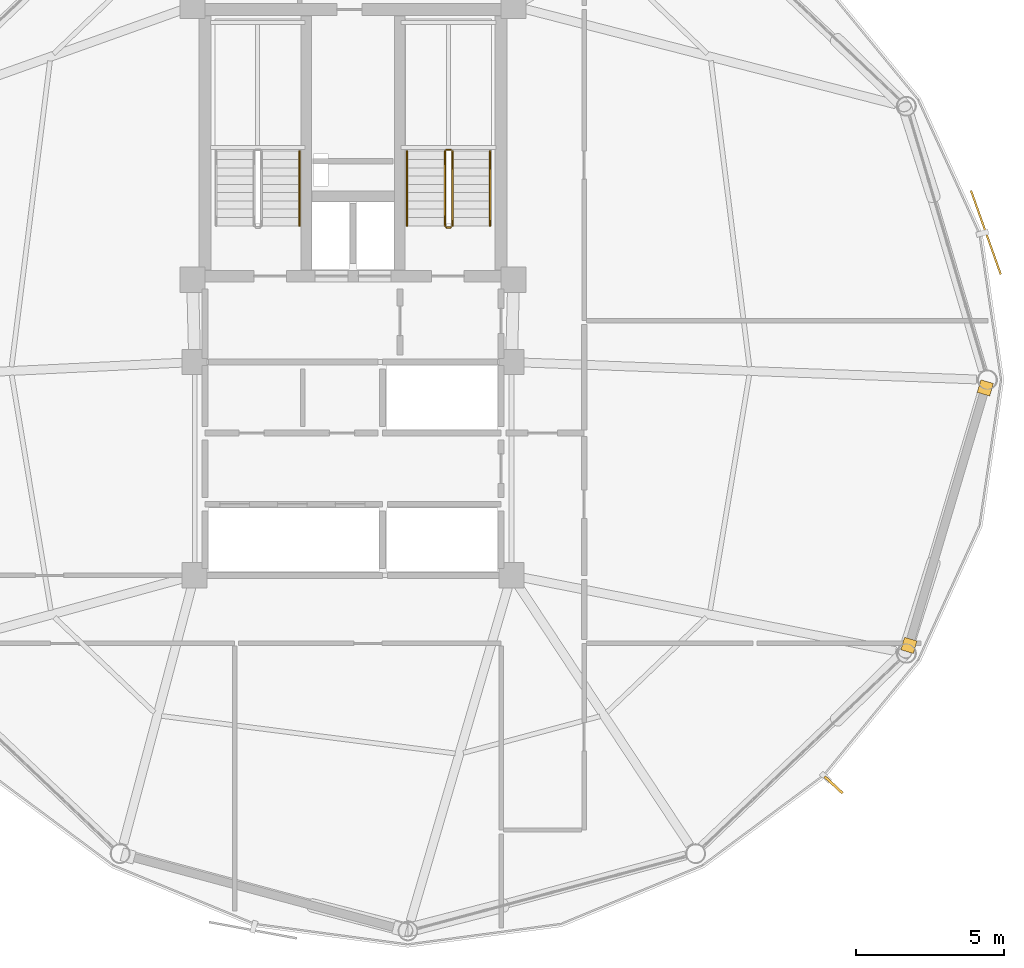
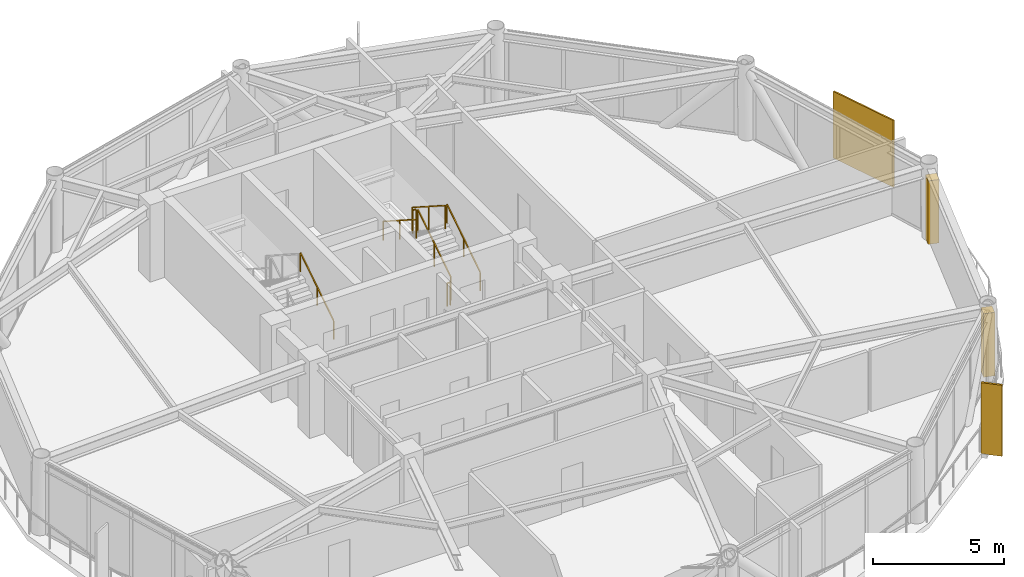
# One storey, part 28 of 29: 7 railings, 2 coverings, 2 shading devices.
"""IFC4 building model written with IfcOpenShell, lengths in metres."""

from ifc_helpers import new_model, si_unit, direction, frame, origin, origin_2d, place, context, subcontext, project, spatial, rectangle, extrude, source, transform, mapped, material, layer, layer_set, type_object, type_shapes, element, save


model = new_model("IFC4")

# Units and contexts
model_context = context("Model", 3, precision=1e-05, world=origin(), true_north=direction((0.0, 1.0)))
body_context = subcontext(model_context, "Body", "Model", "MODEL_VIEW")
ifc_project = project(units=[si_unit("LENGTHUNIT", "METRE"), si_unit("AREAUNIT", "SQUARE_METRE"), si_unit("VOLUMEUNIT", "CUBIC_METRE"), si_unit("PLANEANGLEUNIT", "RADIAN"), si_unit("MASSUNIT", "GRAM", prefix="KILO")], contexts=[model_context])

# Site, building, storey
site_placement = place(None, origin())
site = spatial("IfcSite", under=ifc_project, at=site_placement, CompositionType="ELEMENT")
building_placement = place(site_placement, origin())
building = spatial("IfcBuilding", under=site, at=building_placement, Name="Varnakorn Sky Granary", CompositionType="ELEMENT")
storey_placement = place(building_placement, frame((0.0, 0.0, 189.60009765625)))
storey = spatial("IfcBuildingStorey", under=building, at=storey_placement, Name="L47", CompositionType="ELEMENT", Elevation=189.60009765625)

# Railings
ifc_material_1 = material(Name="Brushed Stainless Steel 316", Category="steel")
railing_type_1 = type_object("IfcRailingType", Name="RL-STAIR-1100", PredefinedType="GUARDRAIL", material=ifc_material_1)
railing_1_placement = place(storey_placement, frame((6.35009765625, 5.199951171875, 0.179931640625)))
element("IfcRailing", 1, at=railing_1_placement, inside=storey, type_object=railing_type_1, Name="L47 ST-2 stair guard 1", PredefinedType="GUARDRAIL", context=body_context, shape_type="SweptSolid", body=[
    extrude(rectangle(XDim=0.048095703125, YDim=0.048095703125, at=origin_2d()), frame((0.0, 0.0, 1.076171875), z_axis=(0.0, 0.841199657755, 0.540724639528), x_axis=(-1.0, 0.0, 0.0)), (0.0, 0.0, 1.0), 2.995849609375),
    extrude(rectangle(XDim=0.0419921875, YDim=0.0419921875, at=origin_2d()), origin(), (0.0, 0.0, 1.0), 1.048095703125),
    extrude(rectangle(XDim=0.0419921875, YDim=0.0419921875, at=origin_2d()), frame((0.0, 1.260009765625, 0.81005859375)), (0.0, 0.0, 1.0), 1.048095703125),
    extrude(rectangle(XDim=0.0419921875, YDim=0.0419921875, at=origin_2d()), frame((0.0, 2.52001953125, 1.619873046875)), (0.0, 0.0, 1.0), 1.048095703125),
])
railing_2_placement = place(storey_placement, frame((6.300048828125, 7.77001953125, 1.7998046875)))
element("IfcRailing", 2, at=railing_2_placement, inside=storey, type_object=railing_type_1, Name="L47 ST-2 stair guard 2", PredefinedType="GUARDRAIL", context=body_context, shape_type="SweptSolid", body=[
    extrude(rectangle(XDim=0.048095703125, YDim=0.048095703125, at=origin_2d()), frame((0.0, 0.0, 1.076171875), z_axis=(-1.0, 0.0, 0.0), x_axis=(0.0, -1.0, 0.0)), (0.0, 0.0, 1.0), 0.150146484375),
    extrude(rectangle(XDim=0.0419921875, YDim=0.0419921875, at=origin_2d()), origin(), (0.0, 0.0, 1.0), 1.048095703125),
    extrude(rectangle(XDim=0.0419921875, YDim=0.0419921875, at=origin_2d()), frame((-0.150146484375, 0.0, 0.0)), (0.0, 0.0, 1.0), 1.048095703125),
])
railing_3_placement = place(storey_placement, frame((6.10009765625, 7.719970703125, 1.97998046875)))
element("IfcRailing", 3, at=railing_3_placement, inside=storey, type_object=railing_type_1, Name="L47 ST-2 stair guard 3", PredefinedType="GUARDRAIL", context=body_context, shape_type="SweptSolid", body=[
    extrude(rectangle(XDim=0.048095703125, YDim=0.048095703125, at=origin_2d()), frame((0.0, 0.0, 1.076171875), z_axis=(0.0, -0.841199657755, 0.540724639528), x_axis=(1.0, 0.0, 0.0)), (0.0, 0.0, 1.0), 2.995849609375),
    extrude(rectangle(XDim=0.0419921875, YDim=0.0419921875, at=origin_2d()), origin(), (0.0, 0.0, 1.0), 1.048095703125),
    extrude(rectangle(XDim=0.0419921875, YDim=0.0419921875, at=origin_2d()), frame((0.0, -1.260009765625, 0.81005859375)), (0.0, 0.0, 1.0), 1.048095703125),
    extrude(rectangle(XDim=0.0419921875, YDim=0.0419921875, at=origin_2d()), frame((0.0, -2.52001953125, 1.619873046875)), (0.0, 0.0, 1.0), 1.048095703125),
])
railing_4_placement = place(storey_placement, frame((6.300048828125, 5.14990234375, 0.0)))
element("IfcRailing", 4, at=railing_4_placement, inside=storey, type_object=railing_type_1, Name="L47 ST-2 stair guard 4", PredefinedType="GUARDRAIL", context=body_context, shape_type="SweptSolid", body=[
    extrude(rectangle(XDim=0.048095703125, YDim=0.048095703125, at=origin_2d()), frame((0.0, 0.0, 1.076171875), z_axis=(-1.0, 0.0, 0.0), x_axis=(0.0, -1.0, 0.0)), (0.0, 0.0, 1.0), 0.150146484375),
    extrude(rectangle(XDim=0.0419921875, YDim=0.0419921875, at=origin_2d()), origin(), (0.0, 0.0, 1.0), 1.048095703125),
    extrude(rectangle(XDim=0.0419921875, YDim=0.0419921875, at=origin_2d()), frame((-0.150146484375, 0.0, 0.0)), (0.0, 0.0, 1.0), 1.048095703125),
])
railing_type_2 = type_object("IfcRailingType", Name="RL-STAIR-920", PredefinedType="HANDRAIL", material=ifc_material_1)
for number, where, name in (
    (5, (1.18994140625, 5.199951171875, 0.179931640625), "L47 ST-1 stair handrail 1"),
    (6, (7.6298828125, 5.199951171875, 0.179931640625), "L47 ST-2 stair handrail 1"),
):
    element("IfcRailing", number, at=place(storey_placement, frame(where)), inside=storey, type_object=railing_type_2, Name=name, PredefinedType="HANDRAIL", context=body_context, shape_type="SweptSolid", body=[
        extrude(rectangle(XDim=0.048095703125, YDim=0.048095703125, at=origin_2d()), frame((0.0, 0.0, 0.8759765625), z_axis=(0.0, 0.841199657755, 0.540724639528), x_axis=(-1.0, 0.0, 0.0)), (0.0, 0.0, 1.0), 2.995849609375),
        extrude(rectangle(XDim=0.0419921875, YDim=0.0419921875, at=origin_2d()), origin(), (0.0, 0.0, 1.0), 0.847900390625),
        extrude(rectangle(XDim=0.0419921875, YDim=0.0419921875, at=origin_2d()), frame((0.0, 1.260009765625, 0.81005859375)), (0.0, 0.0, 1.0), 0.847900390625),
        extrude(rectangle(XDim=0.0419921875, YDim=0.0419921875, at=origin_2d()), frame((0.0, 2.52001953125, 1.619873046875)), (0.0, 0.0, 1.0), 0.847900390625),
    ])
railing_5_placement = place(storey_placement, frame((4.820068359375, 7.719970703125, 1.97998046875)))
element("IfcRailing", 7, at=railing_5_placement, inside=storey, type_object=railing_type_2, Name="L47 ST-2 stair handrail 2", PredefinedType="HANDRAIL", context=body_context, shape_type="SweptSolid", body=[
    extrude(rectangle(XDim=0.048095703125, YDim=0.048095703125, at=origin_2d()), frame((0.0, 0.0, 0.8759765625), z_axis=(0.0, -0.841199657755, 0.540724639528), x_axis=(1.0, 0.0, 0.0)), (0.0, 0.0, 1.0), 2.995849609375),
    extrude(rectangle(XDim=0.0419921875, YDim=0.0419921875, at=origin_2d()), origin(), (0.0, 0.0, 1.0), 0.847900390625),
    extrude(rectangle(XDim=0.0419921875, YDim=0.0419921875, at=origin_2d()), frame((0.0, -1.260009765625, 0.81005859375)), (0.0, 0.0, 1.0), 0.847900390625),
    extrude(rectangle(XDim=0.0419921875, YDim=0.0419921875, at=origin_2d()), frame((0.0, -2.52001953125, 1.619873046875)), (0.0, 0.0, 1.0), 0.847900390625),
])

# Shading devices
ifc_material_2 = material(Name="Anodised Bronze Aluminium Alloy 6063-T6", Category="aluminium")
shading_device_type_1 = type_object("IfcShadingDeviceType", Name="SH-SCR-02", PredefinedType="USERDEFINED", material=ifc_material_2)
shared_shape_1 = source(origin(), body_context, "Body", "SweptSolid", [
    extrude(rectangle(XDim=3.0, YDim=0.06494140625, at=origin_2d()), origin(), (0.0, 0.0, 1.0), 3.10009765625),
])
type_shapes(shading_device_type_1, [shared_shape_1])
shading_device_1_placement = place(storey_placement, frame((24.3662109375, 4.976806640625, -0.0400390625), z_axis=(0.0, 0.0, 1.0), x_axis=(-0.334732420951, 0.942313220943, 0.0)))
element("IfcShadingDevice", 8, at=shading_device_1_placement, inside=storey, type_object=shading_device_type_1, Name="Perforated Bronze Solar Screen Panel SCREEN L47-01", ObjectType="SCREEN", PredefinedType="USERDEFINED", context=body_context, shape_type="MappedRepresentation", body=[
    mapped(shared_shape_1, transform((0.0, 0.0, 0.0), x_axis=(1.0, 0.0, 0.0), y_axis=(0.0, 1.0, 0.0), z_axis=(0.0, 0.0, 1.0), scale=1.0)),
])
shading_device_type_2 = type_object("IfcShadingDeviceType", Name="SH-FIN-02", PredefinedType="USERDEFINED", material=ifc_material_2)
shared_shape_2 = source(origin(), body_context, "Body", "SweptSolid", [
    extrude(rectangle(XDim=0.0849609375, YDim=0.820068359375, at=origin_2d()), origin(), (0.0, 0.0, 1.0), 3.300048828125),
])
type_shapes(shading_device_type_2, [shared_shape_2])
shading_device_2_placement = place(storey_placement, frame((19.226318359375, -13.67724609375, -0.0400390625), z_axis=(0.0, 0.0, 1.0), x_axis=(0.679137655169, 0.734010929981, 0.0)))
element("IfcShadingDevice", 9, at=shading_device_2_placement, inside=storey, type_object=shading_device_type_2, Name="Bronze Solar-Tracking Vertical Blade FIN L47-11", ObjectType="FIN", PredefinedType="USERDEFINED", context=body_context, shape_type="MappedRepresentation", body=[
    mapped(shared_shape_2, transform((0.0, 0.0, 0.0), x_axis=(1.0, 0.0, 0.0), y_axis=(0.0, 1.0, 0.0), z_axis=(0.0, 0.0, 1.0), scale=1.0)),
])

# Coverings
ifc_layer = layer(ifc_material_2, 0.050048828125, Name="Anodised Bronze Aluminium Alloy 6063-T6")
ifc_layer_set = layer_set([ifc_layer], Name="Anodised Bronze Aluminium Alloy 6063-T6")
covering_type = type_object("IfcCoveringType", Name="CV-CLAD-50", PredefinedType="CLADDING", material=ifc_layer_set)
shared_shape_3 = source(origin(), body_context, "Body", "SweptSolid", [
    extrude(rectangle(XDim=0.43994140625, YDim=0.43994140625, at=origin_2d()), origin(), (0.0, 0.0, 1.0), 2.949951171875),
])
type_shapes(covering_type, [shared_shape_3])
for number, where, z_axis, x_axis, name in (
    (10, (24.347900390625, -0.273193359375, -0.02001953125), (0.0, 0.0, 1.0), (-0.28435001862, -0.958720536398, 0.0), "Bronze Corner Pilaster Closure L47-P12-A"),
    (11, (21.77001953125, -8.966796875, -0.02001953125), (0.0, 0.0, 1.0), (-0.28435001862, -0.958720536398, 0.0), "Bronze Corner Pilaster Closure L47-P12-B"),
):
    element("IfcCovering", number, at=place(storey_placement, frame(where, z_axis=z_axis, x_axis=x_axis)), inside=storey, type_object=covering_type, Name=name, PredefinedType="CLADDING", context=body_context, shape_type="MappedRepresentation", body=[
        mapped(shared_shape_3, transform((0.0, 0.0, 0.0), x_axis=(1.0, 0.0, 0.0), y_axis=(0.0, 1.0, 0.0), z_axis=(0.0, 0.0, 1.0), scale=1.0)),
    ])

save(model, "model.ifc")
